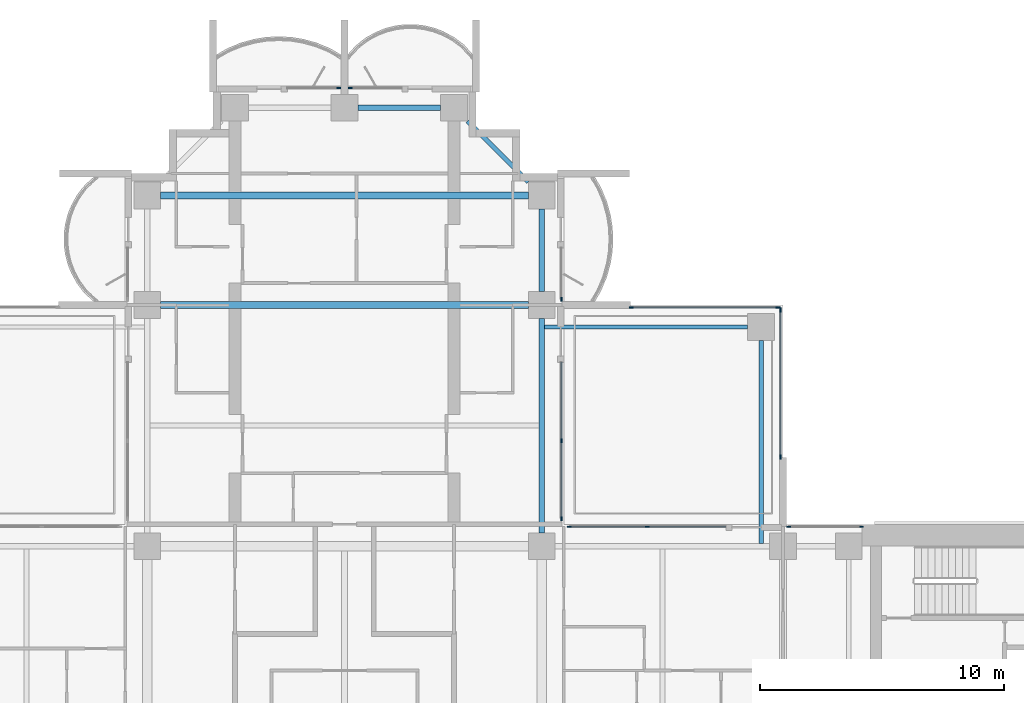
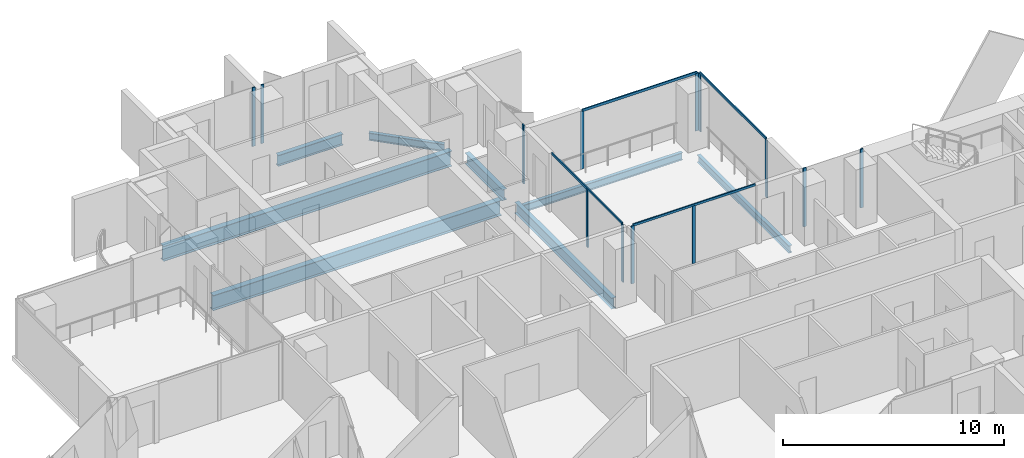
# One storey, part 6 of 19: 17 members, 8 beams, 8 elements without a shape of their own.
"""IFC4 building model written with IfcOpenShell, lengths in metres."""

from ifc_helpers import new_model, si_unit, direction, frame, origin, origin_2d, place, context, subcontext, project, spatial, rectangle, i_section, extrude, material, material_profile, profile_set, type_object, element, aggregate, save


model = new_model("IFC4")

# Units and contexts
model_context = context("Model", 3, precision=1e-05, world=origin(), true_north=direction((0.0, 1.0)))
body_context = subcontext(model_context, "Body", "Model", "MODEL_VIEW")
ifc_project = project(units=[si_unit("LENGTHUNIT", "METRE"), si_unit("AREAUNIT", "SQUARE_METRE"), si_unit("VOLUMEUNIT", "CUBIC_METRE"), si_unit("PLANEANGLEUNIT", "RADIAN"), si_unit("MASSUNIT", "GRAM", prefix="KILO")], contexts=[model_context])

# Site, building, storey
site_placement = place(None, origin())
site = spatial("IfcSite", under=ifc_project, at=site_placement, CompositionType="ELEMENT")
building_placement = place(site_placement, origin())
building = spatial("IfcBuilding", under=site, at=building_placement, Name="Perihelion Cross Residences", CompositionType="ELEMENT")
storey_placement = place(building_placement, frame((0.0, 0.0, 147.89990234375)))
storey = spatial("IfcBuildingStorey", under=building, at=storey_placement, Name="L36", CompositionType="ELEMENT", Elevation=147.89990234375)

# Curtain wall, members
ifc_material_1 = material(Name="Bronze anodised aluminium, tinted glazing", Category="aluminium")
curtain_wall_type_1 = type_object("IfcCurtainWallType", Name="CW1", PredefinedType="NOTDEFINED", material=ifc_material_1)
curtain_wall_1_placement = place(storey_placement, origin())
curtain_wall_1 = element("IfcCurtainWall", 1, at=curtain_wall_1_placement, inside=storey, type_object=curtain_wall_type_1, Name="Curtain wall CW1 L36 east side north bay 1", PredefinedType="NOTDEFINED")
ifc_material_2 = material(Name="Bronze anodised aluminium", Category="aluminium")
ifc_material_profile_1 = material_profile(ifc_material_2, rectangle(XDim=0.06005859375, YDim=0.159912109375, at=origin_2d()), Name="CW1 mullion")
ifc_profile_set_1 = profile_set([ifc_material_profile_1], Name="Bronze anodised aluminium")
member_type_1 = type_object("IfcMemberType", Name="CW1 mullion", PredefinedType="MULLION", material=ifc_profile_set_1)
member_1_placement = place(storey_placement, frame((21.219970703125, 8.89990234375, 0.0), z_axis=(0.0, 0.0, 1.0), x_axis=(0.0, -1.0, 0.0)))
member_1 = element("IfcMember", 2, at=member_1_placement, type_object=member_type_1, Name="CW1 mullion 1", PredefinedType="MULLION", context=body_context, shape_type="SweptSolid", body=[
    extrude(rectangle(XDim=0.06005859375, YDim=0.159912109375, at=origin_2d()), origin(), (0.0, 0.0, 1.0), 3.25),
])
member_2_placement = place(storey_placement, frame((18.22998046875, 8.89990234375, 0.0), z_axis=(0.0, 0.0, 1.0), x_axis=(0.0, -1.0, 0.0)))
member_2 = element("IfcMember", 3, at=member_2_placement, type_object=member_type_1, Name="CW1 mullion 2", PredefinedType="MULLION", context=body_context, shape_type="SweptSolid", body=[
    extrude(rectangle(XDim=0.06005859375, YDim=0.159912109375, at=origin_2d()), origin(), (0.0, 0.0, 1.0), 3.25),
])
aggregate(curtain_wall_1, [member_1, member_2])

curtain_wall_2_placement = place(storey_placement, origin())
curtain_wall_2 = element("IfcCurtainWall", 4, at=curtain_wall_2_placement, inside=storey, type_object=curtain_wall_type_1, Name="Curtain wall CW1 L36 east side north bay 2", PredefinedType="NOTDEFINED")
member_3_placement = place(storey_placement, frame((12.425048828125, 8.89990234375, 0.0), z_axis=(0.0, 0.0, 1.0), x_axis=(0.0, -1.0, 0.0)))
member_3 = element("IfcMember", 5, at=member_3_placement, type_object=member_type_1, Name="CW1 mullion 2", PredefinedType="MULLION", context=body_context, shape_type="SweptSolid", body=[
    extrude(rectangle(XDim=0.06005859375, YDim=0.159912109375, at=origin_2d()), origin(), (0.0, 0.0, 1.0), 3.190185546875),
])
member_4_placement = place(storey_placement, frame((9.22998046875, 8.89990234375, 0.0), z_axis=(0.0, 0.0, 1.0), x_axis=(0.0, -1.0, 0.0)))
member_4 = element("IfcMember", 6, at=member_4_placement, type_object=member_type_1, Name="CW1 mullion 3", PredefinedType="MULLION", context=body_context, shape_type="SweptSolid", body=[
    extrude(rectangle(XDim=0.06005859375, YDim=0.159912109375, at=origin_2d()), origin(), (0.0, 0.0, 1.0), 3.190185546875),
])

curtain_wall_3_placement = place(storey_placement, origin())
curtain_wall_3 = element("IfcCurtainWall", 7, at=curtain_wall_3_placement, inside=storey, type_object=curtain_wall_type_1, Name="Curtain wall CW1 L36 north side east bay 1", PredefinedType="NOTDEFINED")
member_5_placement = place(storey_placement, frame((8.89990234375, 9.22998046875, 0.0), z_axis=(0.0, 0.0, 1.0), x_axis=(-1.0, 0.0, 0.0)))
member_5 = element("IfcMember", 8, at=member_5_placement, type_object=member_type_1, Name="CW1 mullion 1", PredefinedType="MULLION", context=body_context, shape_type="SweptSolid", body=[
    extrude(rectangle(XDim=0.06005859375, YDim=0.159912109375, at=origin_2d()), origin(), (0.0, 0.0, 1.0), 3.190185546875),
])
member_6_placement = place(storey_placement, frame((8.89990234375, 12.425048828125, 0.0), z_axis=(0.0, 0.0, 1.0), x_axis=(-1.0, 0.0, 0.0)))
member_6 = element("IfcMember", 9, at=member_6_placement, type_object=member_type_1, Name="CW1 mullion 2", PredefinedType="MULLION", context=body_context, shape_type="SweptSolid", body=[
    extrude(rectangle(XDim=0.06005859375, YDim=0.159912109375, at=origin_2d()), origin(), (0.0, 0.0, 1.0), 3.190185546875),
])

# Curtain wall, member
curtain_wall_4_placement = place(storey_placement, origin())
curtain_wall_4 = element("IfcCurtainWall", 10, at=curtain_wall_4_placement, inside=storey, type_object=curtain_wall_type_1, Name="Curtain wall CW1 L36 north side east bay 2", PredefinedType="NOTDEFINED")
member_7_placement = place(storey_placement, frame((8.89990234375, 18.22998046875, 0.0), z_axis=(0.0, 0.0, 1.0), x_axis=(-1.0, 0.0, 0.0)))
member_7 = element("IfcMember", 11, at=member_7_placement, type_object=member_type_1, Name="CW1 mullion 1", PredefinedType="MULLION", context=body_context, shape_type="SweptSolid", body=[
    extrude(rectangle(XDim=0.06005859375, YDim=0.159912109375, at=origin_2d()), origin(), (0.0, 0.0, 1.0), 3.25),
])
aggregate(curtain_wall_4, [member_7])

curtain_wall_5_placement = place(storey_placement, origin())
curtain_wall_5 = element("IfcCurtainWall", 12, at=curtain_wall_5_placement, inside=storey, type_object=curtain_wall_type_1, Name="Curtain wall CW1 L36 north tip north bay 1", PredefinedType="NOTDEFINED")
member_8_placement = place(storey_placement, frame((0.22998046875, 26.89990234375, 0.0), z_axis=(0.0, 0.0, 1.0), x_axis=(0.0, -1.0, 0.0)))
member_8 = element("IfcMember", 13, at=member_8_placement, type_object=member_type_1, Name="CW1 mullion 2", PredefinedType="MULLION", context=body_context, shape_type="SweptSolid", body=[
    extrude(rectangle(XDim=0.06005859375, YDim=0.159912109375, at=origin_2d()), origin(), (0.0, 0.0, 1.0), 3.25),
])
aggregate(curtain_wall_5, [member_8])

curtain_wall_6_placement = place(storey_placement, origin())
curtain_wall_6 = element("IfcCurtainWall", 14, at=curtain_wall_6_placement, inside=storey, type_object=curtain_wall_type_1, Name="Curtain wall CW1 L36 north tip north bay 2", PredefinedType="NOTDEFINED")
member_9_placement = place(storey_placement, frame((-0.22998046875, 26.89990234375, 0.0), z_axis=(0.0, 0.0, 1.0), x_axis=(0.0, -1.0, 0.0)))
member_9 = element("IfcMember", 15, at=member_9_placement, type_object=member_type_1, Name="CW1 mullion 1", PredefinedType="MULLION", context=body_context, shape_type="SweptSolid", body=[
    extrude(rectangle(XDim=0.06005859375, YDim=0.159912109375, at=origin_2d()), origin(), (0.0, 0.0, 1.0), 3.25),
])
aggregate(curtain_wall_6, [member_9])

# Member
ifc_material_3 = material(Name="Bronze anodised aluminium", Category="aluminium")
ifc_material_profile_2 = material_profile(ifc_material_3, rectangle(XDim=0.06005859375, YDim=0.1201171875, at=origin_2d()), Name="CW1 transom")
ifc_profile_set_2 = profile_set([ifc_material_profile_2], Name="Bronze anodised aluminium")
member_type_2 = type_object("IfcMemberType", Name="CW1 transom", PredefinedType="USERDEFINED", material=ifc_profile_set_2)
member_10_placement = place(storey_placement, frame((15.64990234375, 8.89990234375, 3.22021484375), z_axis=(-1.0, 0.0, 0.0), x_axis=(0.0, -1.0, 0.0)))
member_10 = element("IfcMember", 16, at=member_10_placement, type_object=member_type_2, Name="CW1 head transom", ObjectType="TRANSOM", PredefinedType="USERDEFINED", context=body_context, shape_type="SweptSolid", body=[
    extrude(rectangle(XDim=0.06005859375, YDim=0.1201171875, at=origin_2d()), origin(), (0.0, 0.0, 1.0), 6.419921875),
])

aggregate(curtain_wall_2, [member_3, member_4, member_10])

member_11_placement = place(storey_placement, frame((8.89990234375, 9.22998046875, 3.22021484375), z_axis=(0.0, 1.0, 0.0), x_axis=(-1.0, 0.0, 0.0)))
member_11 = element("IfcMember", 17, at=member_11_placement, type_object=member_type_2, Name="CW1 head transom", ObjectType="TRANSOM", PredefinedType="USERDEFINED", context=body_context, shape_type="SweptSolid", body=[
    extrude(rectangle(XDim=0.06005859375, YDim=0.1201171875, at=origin_2d()), origin(), (0.0, 0.0, 1.0), 6.419921875),
])

aggregate(curtain_wall_3, [member_5, member_6, member_11])

# Curtain wall, members
ifc_material_4 = material(Name="Bronze anodised aluminium, tinted glazing", Category="aluminium")
curtain_wall_type_2 = type_object("IfcCurtainWallType", Name="CW4", PredefinedType="NOTDEFINED", material=ifc_material_4)
curtain_wall_7_placement = place(storey_placement, origin())
curtain_wall_7 = element("IfcCurtainWall", 18, at=curtain_wall_7_placement, inside=storey, type_object=curtain_wall_type_2, Name="Curtain wall CW4 L36 pocket north-east 1 1", PredefinedType="NOTDEFINED")
ifc_material_5 = material(Name="Bronze anodised aluminium", Category="aluminium")
ifc_material_profile_3 = material_profile(ifc_material_5, rectangle(XDim=0.06005859375, YDim=0.179931640625, at=origin_2d()), Name="CW4 mullion")
ifc_profile_set_3 = profile_set([ifc_material_profile_3], Name="Bronze anodised aluminium")
member_type_3 = type_object("IfcMemberType", Name="CW4 mullion", PredefinedType="MULLION", material=ifc_profile_set_3)
member_12_placement = place(storey_placement, frame((11.77001953125, 17.89990234375, 0.0), z_axis=(0.0, 0.0, 1.0), x_axis=(0.0, 1.0, 0.0)))
member_12 = element("IfcMember", 19, at=member_12_placement, type_object=member_type_3, Name="CW4 mullion 1", PredefinedType="MULLION", context=body_context, shape_type="SweptSolid", body=[
    extrude(rectangle(XDim=0.06005859375, YDim=0.179931640625, at=origin_2d()), origin(), (0.0, 0.0, 1.0), 3.190185546875),
])
member_13_placement = place(storey_placement, frame((17.800048828125, 17.89990234375, 0.0), z_axis=(0.0, 0.0, 1.0), x_axis=(0.0, 1.0, 0.0)))
member_13 = element("IfcMember", 20, at=member_13_placement, type_object=member_type_3, Name="CW4 mullion 2", PredefinedType="MULLION", context=body_context, shape_type="SweptSolid", body=[
    extrude(rectangle(XDim=0.06005859375, YDim=0.179931640625, at=origin_2d()), origin(), (0.0, 0.0, 1.0), 3.190185546875),
])

curtain_wall_8_placement = place(storey_placement, origin())
curtain_wall_8 = element("IfcCurtainWall", 21, at=curtain_wall_8_placement, inside=storey, type_object=curtain_wall_type_2, Name="Curtain wall CW4 L36 pocket north-east 1 2", PredefinedType="NOTDEFINED")
member_14_placement = place(storey_placement, frame((17.89990234375, 17.800048828125, 0.0), z_axis=(0.0, 0.0, 1.0), x_axis=(1.0, 0.0, 0.0)))
member_14 = element("IfcMember", 22, at=member_14_placement, type_object=member_type_3, Name="CW4 mullion 1", PredefinedType="MULLION", context=body_context, shape_type="SweptSolid", body=[
    extrude(rectangle(XDim=0.06005859375, YDim=0.179931640625, at=origin_2d()), origin(), (0.0, 0.0, 1.0), 3.190185546875),
])
member_15_placement = place(storey_placement, frame((17.89990234375, 11.77001953125, 0.0), z_axis=(0.0, 0.0, 1.0), x_axis=(1.0, 0.0, 0.0)))
member_15 = element("IfcMember", 23, at=member_15_placement, type_object=member_type_3, Name="CW4 mullion 2", PredefinedType="MULLION", context=body_context, shape_type="SweptSolid", body=[
    extrude(rectangle(XDim=0.06005859375, YDim=0.179931640625, at=origin_2d()), origin(), (0.0, 0.0, 1.0), 3.190185546875),
])

# Member
ifc_material_6 = material(Name="Bronze anodised aluminium", Category="aluminium")
ifc_material_profile_4 = material_profile(ifc_material_6, rectangle(XDim=0.06005859375, YDim=0.139892578125, at=origin_2d()), Name="CW4 transom")
ifc_profile_set_4 = profile_set([ifc_material_profile_4], Name="Bronze anodised aluminium")
member_type_4 = type_object("IfcMemberType", Name="CW4 transom", PredefinedType="USERDEFINED", material=ifc_profile_set_4)
member_16_placement = place(storey_placement, frame((11.77001953125, 17.89990234375, 3.22021484375), z_axis=(1.0, 0.0, 0.0), x_axis=(0.0, 1.0, 0.0)))
member_16 = element("IfcMember", 24, at=member_16_placement, type_object=member_type_4, Name="CW4 head transom", ObjectType="TRANSOM", PredefinedType="USERDEFINED", context=body_context, shape_type="SweptSolid", body=[
    extrude(rectangle(XDim=0.06005859375, YDim=0.139892578125, at=origin_2d()), origin(), (0.0, 0.0, 1.0), 6.030029296875),
])

aggregate(curtain_wall_7, [member_12, member_13, member_16])

member_17_placement = place(storey_placement, frame((17.89990234375, 17.800048828125, 3.22021484375), z_axis=(0.0, -1.0, 0.0), x_axis=(1.0, 0.0, 0.0)))
member_17 = element("IfcMember", 25, at=member_17_placement, type_object=member_type_4, Name="CW4 head transom", ObjectType="TRANSOM", PredefinedType="USERDEFINED", context=body_context, shape_type="SweptSolid", body=[
    extrude(rectangle(XDim=0.06005859375, YDim=0.139892578125, at=origin_2d()), origin(), (0.0, 0.0, 1.0), 6.030029296875),
])

aggregate(curtain_wall_8, [member_14, member_15, member_17])

# Beams
ifc_material_7 = material(Name="Steel S355", Category="steel")
ifc_material_profile_5 = material_profile(ifc_material_7, i_section(OverallWidth=0.177978515625, OverallDepth=0.406005859375, WebThickness=0.0078125, FlangeThickness=0.0126953125, at=origin_2d()), Name="W410x60")
ifc_profile_set_5 = profile_set([ifc_material_profile_5], Name="Steel S355")
beam_type_1 = type_object("IfcBeamType", Name="Core edge beam W410x60", PredefinedType="BEAM", material=ifc_profile_set_5)
for number, where, z_axis, x_axis, name in (
    (26, (17.10009765625, 8.214599609375, -0.452880859375), (0.0, 1.0, 0.0), (-1.0, 0.0, 0.0), "Core edge beam TB2 L36 corner no. 7"),
    (27, (8.214599609375, 17.10009765625, -0.452880859375), (1.0, 0.0, 0.0), (0.0, 1.0, 0.0), "Core edge beam TB2 L36 corner no. 8"),
):
    element("IfcBeam", number, at=place(storey_placement, frame(where, z_axis=z_axis, x_axis=x_axis)), inside=storey, type_object=beam_type_1, Name=name, PredefinedType="BEAM", context=body_context, shape_type="SweptSolid", body=[
        extrude(i_section(OverallWidth=0.177978515625, OverallDepth=0.406005859375, WebThickness=0.0078125, FlangeThickness=0.0126953125, at=origin_2d()), origin(), (0.0, 0.0, 1.0), 8.33544921875),
    ])
ifc_material_8 = material(Name="Steel S355", Category="steel")
ifc_material_profile_6 = material_profile(ifc_material_8, i_section(OverallWidth=0.22900390625, OverallDepth=0.612060546875, WebThickness=0.011962890625, FlangeThickness=0.01953125, at=origin_2d()), Name="W610x125")
ifc_profile_set_6 = profile_set([ifc_material_profile_6], Name="Steel S355")
beam_type_2 = type_object("IfcBeamType", Name="Edge beam W610x125", PredefinedType="SPANDREL", material=ifc_profile_set_6)
beam_1_placement = place(storey_placement, frame((8.10009765625, 8.64990234375, -0.555908203125), z_axis=(0.0, 1.0, 0.0), x_axis=(-1.0, 0.0, 0.0)))
element("IfcBeam", 28, at=beam_1_placement, inside=storey, type_object=beam_type_2, Name="Edge beam SB3 L36 no. 18", PredefinedType="SPANDREL", context=body_context, shape_type="SweptSolid", body=[
    extrude(i_section(OverallWidth=0.22900390625, OverallDepth=0.612060546875, WebThickness=0.011962890625, FlangeThickness=0.01953125, at=origin_2d()), origin(), (0.0, 0.0, 1.0), 8.800048828125),
])
for number, where, z_axis, x_axis, name in (
    (29, (8.10009765625, 18.550048828125, -0.555908203125), (0.0, 1.0, 0.0), (-1.0, 0.0, 0.0), "Edge beam SB3 L36 no. 17"),
    (30, (3.949951171875, 26.10009765625, -0.555908203125), (-1.0, 0.0, 0.0), (0.0, -1.0, 0.0), "Edge beam SB3 L36 no. 14"),
):
    element("IfcBeam", number, at=place(storey_placement, frame(where, z_axis=z_axis, x_axis=x_axis)), inside=storey, type_object=beam_type_2, Name=name, PredefinedType="SPANDREL", context=body_context, shape_type="SweptSolid", body=[
        extrude(i_section(OverallWidth=0.22900390625, OverallDepth=0.612060546875, WebThickness=0.011962890625, FlangeThickness=0.01953125, at=origin_2d()), origin(), (0.0, 0.0, 1.0), 3.39990234375),
    ])
ifc_material_9 = material(Name="Steel S355", Category="steel")
ifc_material_profile_7 = material_profile(ifc_material_9, i_section(OverallWidth=0.2919921875, OverallDepth=0.8359375, WebThickness=0.013916015625, FlangeThickness=0.018798828125, at=origin_2d()), Name="W840x176")
ifc_profile_set_7 = profile_set([ifc_material_profile_7], Name="Steel S355")
beam_type_3 = type_object("IfcBeamType", Name="Floor girder W840x176", PredefinedType="BEAM", material=ifc_profile_set_7)
for number, where, z_axis, x_axis, name in (
    (31, (-7.550048828125, 18.0, -0.66796875), (1.0, 0.0, 0.0), (0.0, 1.0, 0.0), "Girder G3 L36 no. 4"),
    (32, (-7.550048828125, 22.5, -0.66796875), (1.0, 0.0, 0.0), (0.0, 1.0, 0.0), "Girder G3 L36 no. 5"),
):
    element("IfcBeam", number, at=place(storey_placement, frame(where, z_axis=z_axis, x_axis=x_axis)), inside=storey, type_object=beam_type_3, Name=name, PredefinedType="BEAM", context=body_context, shape_type="SweptSolid", body=[
        extrude(i_section(OverallWidth=0.2919921875, OverallDepth=0.8359375, WebThickness=0.013916015625, FlangeThickness=0.018798828125, at=origin_2d()), origin(), (0.0, 0.0, 1.0), 15.10009765625),
    ])
ifc_material_10 = material(Name="Steel S355", Category="steel")
ifc_material_profile_8 = material_profile(ifc_material_10, i_section(OverallWidth=0.180908203125, OverallDepth=0.4169921875, WebThickness=0.010986328125, FlangeThickness=0.018310546875, at=origin_2d()), Name="W410x85")
ifc_profile_set_8 = profile_set([ifc_material_profile_8], Name="Steel S355")
beam_type_4 = type_object("IfcBeamType", Name="Serration edge beam W410x85", PredefinedType="BEAM", material=ifc_profile_set_8)
beam_2_placement = place(storey_placement, frame((7.550048828125, 23.050048828125, -0.45849609375), z_axis=(-0.707106781187, 0.707106781187, 0.0), x_axis=(-0.707106781187, -0.707106781187, 0.0)))
element("IfcBeam", 33, at=beam_2_placement, inside=storey, type_object=beam_type_4, Name="Serration edge beam EB3 L36 no. 4", PredefinedType="BEAM", context=body_context, shape_type="SweptSolid", body=[
    extrude(i_section(OverallWidth=0.180908203125, OverallDepth=0.4169921875, WebThickness=0.010986328125, FlangeThickness=0.018310546875, at=origin_2d()), origin(), (0.0, 0.0, 1.0), 3.53564453125),
])

save(model, "model.ifc")
